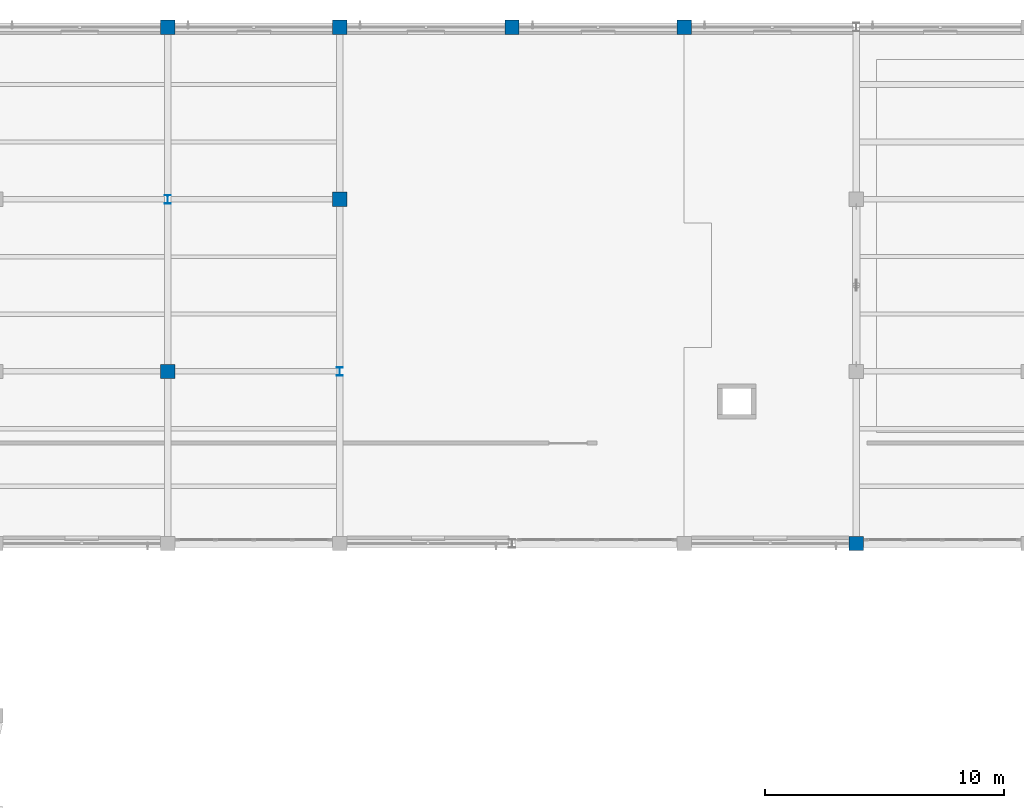
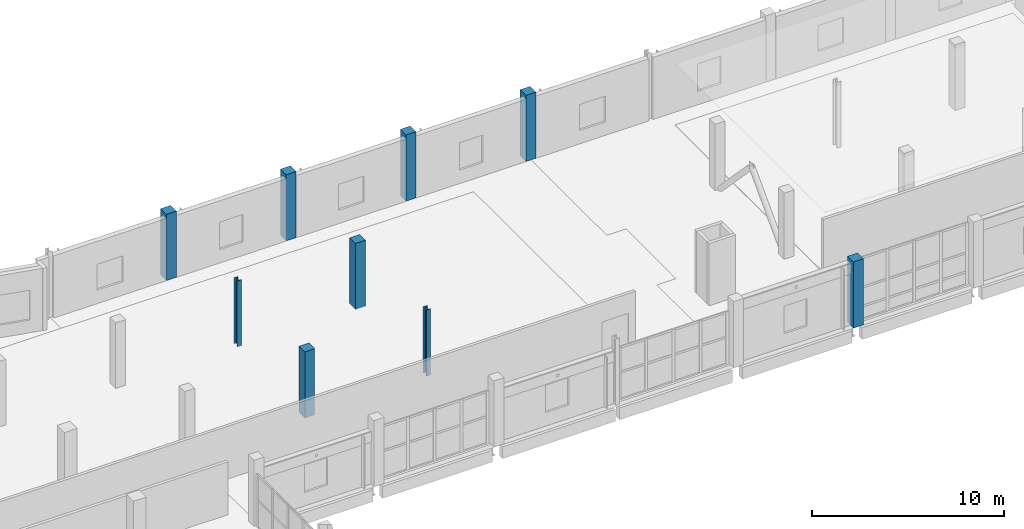
# One storey, part 11 of 94: 9 columns.
"""IFC4 building model written with IfcOpenShell, lengths in metres."""

from ifc_helpers import new_model, si_unit, direction, frame, origin, origin_2d, place, context, subcontext, project, spatial, rectangle, i_section, extrude, material, material_profile, profile_set, type_object, element, save


model = new_model("IFC4")

# Units and contexts
model_context = context("Model", 3, precision=1e-05, world=origin(), true_north=direction((0.0, 1.0)))
body_context = subcontext(model_context, "Body", "Model", "MODEL_VIEW")
ifc_project = project(units=[si_unit("LENGTHUNIT", "METRE"), si_unit("AREAUNIT", "SQUARE_METRE"), si_unit("VOLUMEUNIT", "CUBIC_METRE"), si_unit("PLANEANGLEUNIT", "RADIAN"), si_unit("MASSUNIT", "GRAM", prefix="KILO")], contexts=[model_context])

# Site, building, storey
site_placement = place(None, origin())
site = spatial("IfcSite", under=ifc_project, at=site_placement, CompositionType="ELEMENT")
building_placement = place(site_placement, origin())
building = spatial("IfcBuilding", under=site, at=building_placement, Name="Kalmorath City Hall", CompositionType="ELEMENT")
storey_placement = place(building_placement, frame((0.0, 0.0, 14.699951171875)))
storey = spatial("IfcBuildingStorey", under=building, at=storey_placement, Name="L03", CompositionType="ELEMENT", Elevation=14.699951171875)

# Columns
ifc_material_1 = material(Name="Concrete C50/60", Category="concrete")
ifc_material_profile_1 = material_profile(ifc_material_1, rectangle(XDim=0.60009765625, YDim=0.60009765625, at=origin_2d()), Name="RC-COL-600X600")
ifc_profile_set_1 = profile_set([ifc_material_profile_1], Name="Concrete C50/60")
column_type_1 = type_object("IfcColumnType", Name="Concrete column 600x600", PredefinedType="COLUMN", material=ifc_profile_set_1)
for number, where, z_axis, x_axis, name in (
    (1, (36.0, 100.800048828125, 0.0), (0.0, 0.0, 1.0), (1.0, 0.0, 0.0), "L03 column C6 (6/15)"),
    (2, (36.0, 115.199951171875, 0.0), (0.0, 0.0, 1.0), (1.0, 0.0, 0.0), "L03 column C6 (6/17)"),
    (3, (43.199951171875, 108.0, 0.0), (0.0, 0.0, 1.0), (1.0, 0.0, 0.0), "L03 column C6 (7/16)"),
    (4, (43.199951171875, 115.199951171875, 0.0), (0.0, 0.0, 1.0), (1.0, 0.0, 0.0), "L03 column C6 (7/17)"),
    (5, (50.39990234375, 115.199951171875, 0.0), (0.0, 0.0, 1.0), (1.0, 0.0, 0.0), "L03 column C6 (8/17)"),
    (6, (57.60009765625, 115.199951171875, 0.0), (0.0, 0.0, 1.0), (1.0, 0.0, 0.0), "L03 column C6 (9/17)"),
    (7, (64.800048828125, 93.60009765625, 0.0), (0.0, 0.0, 1.0), (1.0, 0.0, 0.0), "L03 column C6 (10/14)"),
):
    element("IfcColumn", number, at=place(storey_placement, frame(where, z_axis=z_axis, x_axis=x_axis)), inside=storey, type_object=column_type_1, Name=name, PredefinedType="COLUMN", context=body_context, shape_type="SweptSolid", body=[
        extrude(rectangle(XDim=0.60009765625, YDim=0.60009765625, at=origin_2d()), origin(), (0.0, 0.0, 1.0), 4.199951171875),
    ])
ifc_material_2 = material(Name="Steel ASTM A992 Grade 50", Category="steel")
ifc_material_profile_2 = material_profile(ifc_material_2, i_section(OverallWidth=0.25390625, OverallDepth=0.35302734375, WebThickness=0.009521484375, FlangeThickness=0.016357421875, FilletRadius=0.014892578125, at=origin_2d()), Name="W14X61")
ifc_profile_set_2 = profile_set([ifc_material_profile_2], Name="Steel ASTM A992 Grade 50")
column_type_2 = type_object("IfcColumnType", Name="Steel wide-flange column W14X61", PredefinedType="COLUMN", material=ifc_profile_set_2)
for number, where, z_axis, x_axis, name in (
    (8, (36.0, 108.0, 0.0), (0.0, 0.0, 1.0), (1.0, 0.0, 0.0), "L03 column SC1 (6/16)"),
    (9, (43.199951171875, 100.800048828125, 0.0), (0.0, 0.0, 1.0), (1.0, 0.0, 0.0), "L03 column SC1 (7/15)"),
):
    element("IfcColumn", number, at=place(storey_placement, frame(where, z_axis=z_axis, x_axis=x_axis)), inside=storey, type_object=column_type_2, Name=name, PredefinedType="COLUMN", context=body_context, shape_type="SweptSolid", body=[
        extrude(i_section(OverallWidth=0.25390625, OverallDepth=0.35302734375, WebThickness=0.009521484375, FlangeThickness=0.016357421875, FilletRadius=0.014892578125, at=origin_2d()), origin(), (0.0, 0.0, 1.0), 4.199951171875),
    ])

save(model, "model.ifc")
